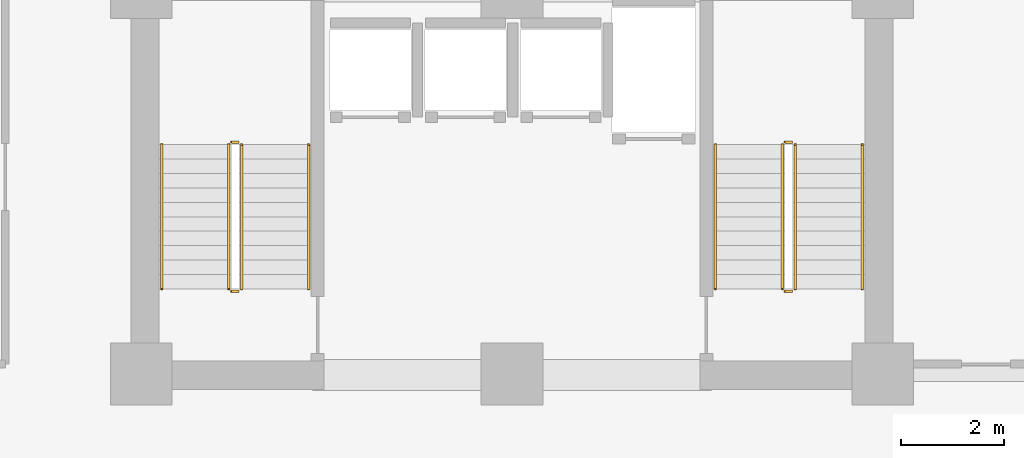
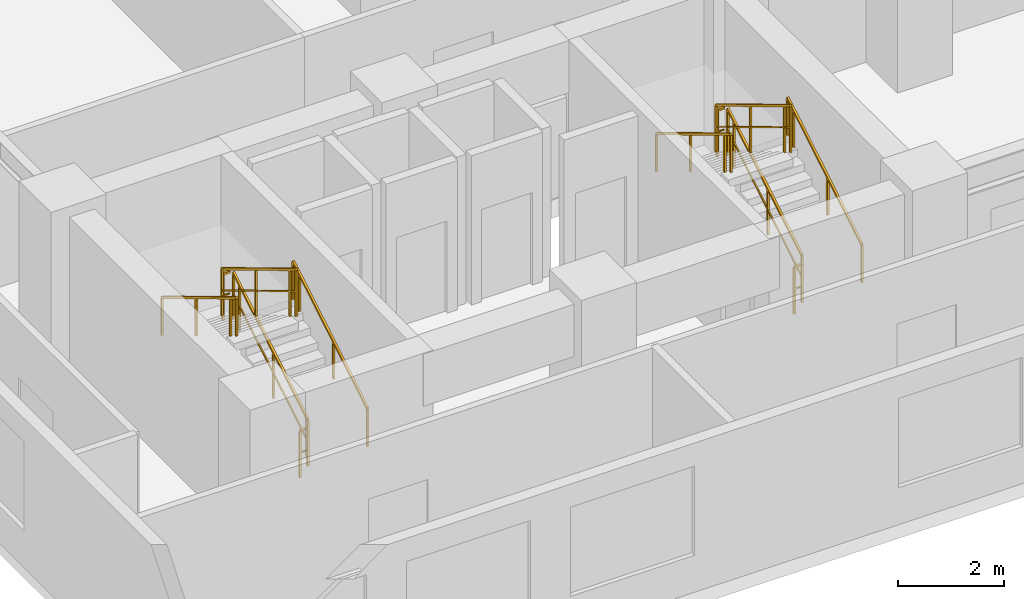
# One storey, part 10 of 11: 12 railings.
"""IFC4 building model written with IfcOpenShell, lengths in metres."""

from ifc_helpers import new_model, si_unit, direction, frame, origin, origin_2d, place, context, subcontext, project, spatial, rectangle, extrude, material, type_object, element, save


model = new_model("IFC4")

# Units and contexts
model_context = context("Model", 3, precision=1e-05, world=origin(), true_north=direction((0.0, 1.0)))
body_context = subcontext(model_context, "Body", "Model", "MODEL_VIEW")
ifc_project = project(units=[si_unit("LENGTHUNIT", "METRE"), si_unit("AREAUNIT", "SQUARE_METRE"), si_unit("VOLUMEUNIT", "CUBIC_METRE"), si_unit("PLANEANGLEUNIT", "RADIAN"), si_unit("MASSUNIT", "GRAM", prefix="KILO")], contexts=[model_context])

# Site, building, storey
site_placement = place(None, origin())
site = spatial("IfcSite", under=ifc_project, at=site_placement, CompositionType="ELEMENT")
building_placement = place(site_placement, origin())
building = spatial("IfcBuilding", under=site, at=building_placement, Name="Kaliganga Portal Commons", CompositionType="ELEMENT")
storey_placement = place(building_placement, frame((0.0, 0.0, 78.60009765625)))
storey = spatial("IfcBuildingStorey", under=building, at=storey_placement, Name="L19", CompositionType="ELEMENT", Elevation=78.60009765625)

# Railings
ifc_material_1 = material(Name="Galvanized Painted Steel Balustrade", Category="steel")
railing_type_1 = type_object("IfcRailingType", Name="RLG-STAIR-GRD", PredefinedType="GUARDRAIL", material=ifc_material_1)
railing_1_placement = place(storey_placement, frame((37.949951171875, 8.699951171875, 0.16796875)))
element("IfcRailing", 1, at=railing_1_placement, inside=storey, type_object=railing_type_1, Name="L19 ST-B1 stair guard 1", PredefinedType="GUARDRAIL", context=body_context, shape_type="SweptSolid", body=[
    extrude(rectangle(XDim=0.048095703125, YDim=0.048095703125, at=origin_2d()), frame((0.0, 0.0, 1.072021484375), z_axis=(0.0, 0.857242210791, 0.514913383045), x_axis=(-1.0, 0.0, 0.0)), (0.0, 0.0, 1.0), 3.266357421875),
    extrude(rectangle(XDim=0.028076171875, YDim=0.028076171875, at=origin_2d()), frame((0.0, 0.0, 0.572021484375), z_axis=(0.0, 0.857242210791, 0.514913383045), x_axis=(-1.0, 0.0, 0.0)), (0.0, 0.0, 1.0), 3.266357421875),
    extrude(rectangle(XDim=0.0419921875, YDim=0.0419921875, at=origin_2d()), origin(), (0.0, 0.0, 1.0), 1.052001953125),
    extrude(rectangle(XDim=0.0419921875, YDim=0.0419921875, at=origin_2d()), frame((0.0, 1.285888671875, 0.7724609375)), (0.0, 0.0, 1.0), 1.052001953125),
    extrude(rectangle(XDim=0.0419921875, YDim=0.0419921875, at=origin_2d()), frame((0.0, 2.57177734375, 1.544677734375)), (0.0, 0.0, 1.0), 1.052001953125),
    extrude(rectangle(XDim=0.0419921875, YDim=0.0419921875, at=origin_2d()), frame((0.0, 2.800048828125, 1.681884765625)), (0.0, 0.0, 1.0), 1.052001953125),
])
railing_2_placement = place(storey_placement, frame((37.89990234375, 11.550048828125, 1.849853515625)))
element("IfcRailing", 2, at=railing_2_placement, inside=storey, type_object=railing_type_1, Name="L19 ST-B1 stair guard 2", PredefinedType="GUARDRAIL", context=body_context, shape_type="SweptSolid", body=[
    extrude(rectangle(XDim=0.048095703125, YDim=0.048095703125, at=origin_2d()), frame((0.0, 0.0, 1.076171875), z_axis=(-1.0, 0.0, 0.0), x_axis=(0.0, -1.0, 0.0)), (0.0, 0.0, 1.0), 0.14990234375),
    extrude(rectangle(XDim=0.028076171875, YDim=0.028076171875, at=origin_2d()), frame((0.0, 0.0, 0.572021484375), z_axis=(-1.0, 0.0, 0.0), x_axis=(0.0, -1.0, 0.0)), (0.0, 0.0, 1.0), 0.14990234375),
    extrude(rectangle(XDim=0.0419921875, YDim=0.0419921875, at=origin_2d()), frame((-0.14990234375, 0.0, 0.0)), (0.0, 0.0, 1.0), 1.052001953125),
])
railing_3_placement = place(storey_placement, frame((37.699951171875, 11.5, 2.01806640625)))
element("IfcRailing", 3, at=railing_3_placement, inside=storey, type_object=railing_type_1, Name="L19 ST-B1 stair guard 3", PredefinedType="GUARDRAIL", context=body_context, shape_type="SweptSolid", body=[
    extrude(rectangle(XDim=0.048095703125, YDim=0.048095703125, at=origin_2d()), frame((0.0, 0.0, 1.072021484375), z_axis=(0.0, -0.857242210791, 0.514913383045), x_axis=(1.0, 0.0, 0.0)), (0.0, 0.0, 1.0), 3.266357421875),
    extrude(rectangle(XDim=0.028076171875, YDim=0.028076171875, at=origin_2d()), frame((0.0, 0.0, 0.572021484375), z_axis=(0.0, -0.857242210791, 0.514913383045), x_axis=(1.0, 0.0, 0.0)), (0.0, 0.0, 1.0), 3.266357421875),
    extrude(rectangle(XDim=0.0419921875, YDim=0.0419921875, at=origin_2d()), origin(), (0.0, 0.0, 1.0), 1.052001953125),
    extrude(rectangle(XDim=0.0419921875, YDim=0.0419921875, at=origin_2d()), frame((0.0, -1.285888671875, 0.7724609375)), (0.0, 0.0, 1.0), 1.052001953125),
    extrude(rectangle(XDim=0.0419921875, YDim=0.0419921875, at=origin_2d()), frame((0.0, -2.57177734375, 1.544677734375)), (0.0, 0.0, 1.0), 1.052001953125),
    extrude(rectangle(XDim=0.0419921875, YDim=0.0419921875, at=origin_2d()), frame((0.0, -2.800048828125, 1.681884765625)), (0.0, 0.0, 1.0), 1.052001953125),
])
railing_4_placement = place(storey_placement, frame((37.89990234375, 8.64990234375, 0.0)))
element("IfcRailing", 4, at=railing_4_placement, inside=storey, type_object=railing_type_1, Name="L19 ST-B1 stair guard 4", PredefinedType="GUARDRAIL", context=body_context, shape_type="SweptSolid", body=[
    extrude(rectangle(XDim=0.048095703125, YDim=0.048095703125, at=origin_2d()), frame((0.0, 0.0, 1.076171875), z_axis=(-1.0, 0.0, 0.0), x_axis=(0.0, -1.0, 0.0)), (0.0, 0.0, 1.0), 0.14990234375),
    extrude(rectangle(XDim=0.028076171875, YDim=0.028076171875, at=origin_2d()), frame((0.0, 0.0, 0.572021484375), z_axis=(-1.0, 0.0, 0.0), x_axis=(0.0, -1.0, 0.0)), (0.0, 0.0, 1.0), 0.14990234375),
    extrude(rectangle(XDim=0.0419921875, YDim=0.0419921875, at=origin_2d()), frame((-0.14990234375, 0.0, 0.0)), (0.0, 0.0, 1.0), 1.052001953125),
])
railing_5_placement = place(storey_placement, frame((48.699951171875, 8.699951171875, 0.16796875)))
element("IfcRailing", 5, at=railing_5_placement, inside=storey, type_object=railing_type_1, Name="L19 ST-B2 stair guard 1", PredefinedType="GUARDRAIL", context=body_context, shape_type="SweptSolid", body=[
    extrude(rectangle(XDim=0.048095703125, YDim=0.048095703125, at=origin_2d()), frame((0.0, 0.0, 1.072021484375), z_axis=(0.0, 0.857242210791, 0.514913383045), x_axis=(-1.0, 0.0, 0.0)), (0.0, 0.0, 1.0), 3.266357421875),
    extrude(rectangle(XDim=0.028076171875, YDim=0.028076171875, at=origin_2d()), frame((0.0, 0.0, 0.572021484375), z_axis=(0.0, 0.857242210791, 0.514913383045), x_axis=(-1.0, 0.0, 0.0)), (0.0, 0.0, 1.0), 3.266357421875),
    extrude(rectangle(XDim=0.0419921875, YDim=0.0419921875, at=origin_2d()), origin(), (0.0, 0.0, 1.0), 1.052001953125),
    extrude(rectangle(XDim=0.0419921875, YDim=0.0419921875, at=origin_2d()), frame((0.0, 1.285888671875, 0.7724609375)), (0.0, 0.0, 1.0), 1.052001953125),
    extrude(rectangle(XDim=0.0419921875, YDim=0.0419921875, at=origin_2d()), frame((0.0, 2.57177734375, 1.544677734375)), (0.0, 0.0, 1.0), 1.052001953125),
    extrude(rectangle(XDim=0.0419921875, YDim=0.0419921875, at=origin_2d()), frame((0.0, 2.800048828125, 1.681884765625)), (0.0, 0.0, 1.0), 1.052001953125),
])
railing_6_placement = place(storey_placement, frame((48.64990234375, 11.550048828125, 1.849853515625)))
element("IfcRailing", 6, at=railing_6_placement, inside=storey, type_object=railing_type_1, Name="L19 ST-B2 stair guard 2", PredefinedType="GUARDRAIL", context=body_context, shape_type="SweptSolid", body=[
    extrude(rectangle(XDim=0.048095703125, YDim=0.048095703125, at=origin_2d()), frame((0.0, 0.0, 1.076171875), z_axis=(-1.0, 0.0, 0.0), x_axis=(0.0, -1.0, 0.0)), (0.0, 0.0, 1.0), 0.14990234375),
    extrude(rectangle(XDim=0.028076171875, YDim=0.028076171875, at=origin_2d()), frame((0.0, 0.0, 0.572021484375), z_axis=(-1.0, 0.0, 0.0), x_axis=(0.0, -1.0, 0.0)), (0.0, 0.0, 1.0), 0.14990234375),
    extrude(rectangle(XDim=0.0419921875, YDim=0.0419921875, at=origin_2d()), frame((-0.14990234375, 0.0, 0.0)), (0.0, 0.0, 1.0), 1.052001953125),
])
railing_7_placement = place(storey_placement, frame((48.449951171875, 11.5, 2.01806640625)))
element("IfcRailing", 7, at=railing_7_placement, inside=storey, type_object=railing_type_1, Name="L19 ST-B2 stair guard 3", PredefinedType="GUARDRAIL", context=body_context, shape_type="SweptSolid", body=[
    extrude(rectangle(XDim=0.048095703125, YDim=0.048095703125, at=origin_2d()), frame((0.0, 0.0, 1.072021484375), z_axis=(0.0, -0.857242210791, 0.514913383045), x_axis=(1.0, 0.0, 0.0)), (0.0, 0.0, 1.0), 3.266357421875),
    extrude(rectangle(XDim=0.028076171875, YDim=0.028076171875, at=origin_2d()), frame((0.0, 0.0, 0.572021484375), z_axis=(0.0, -0.857242210791, 0.514913383045), x_axis=(1.0, 0.0, 0.0)), (0.0, 0.0, 1.0), 3.266357421875),
    extrude(rectangle(XDim=0.0419921875, YDim=0.0419921875, at=origin_2d()), origin(), (0.0, 0.0, 1.0), 1.052001953125),
    extrude(rectangle(XDim=0.0419921875, YDim=0.0419921875, at=origin_2d()), frame((0.0, -1.285888671875, 0.7724609375)), (0.0, 0.0, 1.0), 1.052001953125),
    extrude(rectangle(XDim=0.0419921875, YDim=0.0419921875, at=origin_2d()), frame((0.0, -2.57177734375, 1.544677734375)), (0.0, 0.0, 1.0), 1.052001953125),
    extrude(rectangle(XDim=0.0419921875, YDim=0.0419921875, at=origin_2d()), frame((0.0, -2.800048828125, 1.681884765625)), (0.0, 0.0, 1.0), 1.052001953125),
])
railing_8_placement = place(storey_placement, frame((48.64990234375, 8.64990234375, 0.0)))
element("IfcRailing", 8, at=railing_8_placement, inside=storey, type_object=railing_type_1, Name="L19 ST-B2 stair guard 4", PredefinedType="GUARDRAIL", context=body_context, shape_type="SweptSolid", body=[
    extrude(rectangle(XDim=0.048095703125, YDim=0.048095703125, at=origin_2d()), frame((0.0, 0.0, 1.076171875), z_axis=(-1.0, 0.0, 0.0), x_axis=(0.0, -1.0, 0.0)), (0.0, 0.0, 1.0), 0.14990234375),
    extrude(rectangle(XDim=0.028076171875, YDim=0.028076171875, at=origin_2d()), frame((0.0, 0.0, 0.572021484375), z_axis=(-1.0, 0.0, 0.0), x_axis=(0.0, -1.0, 0.0)), (0.0, 0.0, 1.0), 0.14990234375),
    extrude(rectangle(XDim=0.0419921875, YDim=0.0419921875, at=origin_2d()), frame((-0.14990234375, 0.0, 0.0)), (0.0, 0.0, 1.0), 1.052001953125),
])
ifc_material_2 = material(Name="Brushed Stainless Steel 316", Category="steel")
railing_type_2 = type_object("IfcRailingType", Name="RLG-STAIR-HR", PredefinedType="HANDRAIL", material=ifc_material_2)
railing_9_placement = place(storey_placement, frame((39.25, 8.699951171875, 0.16796875)))
element("IfcRailing", 9, at=railing_9_placement, inside=storey, type_object=railing_type_2, Name="L19 ST-B1 stair handrail 1", PredefinedType="HANDRAIL", context=body_context, shape_type="SweptSolid", body=[
    extrude(rectangle(XDim=0.048095703125, YDim=0.048095703125, at=origin_2d()), frame((0.0, 0.0, 0.871826171875), z_axis=(0.0, 0.857242210791, 0.514913383045), x_axis=(-1.0, 0.0, 0.0)), (0.0, 0.0, 1.0), 3.266357421875),
    extrude(rectangle(XDim=0.0419921875, YDim=0.0419921875, at=origin_2d()), origin(), (0.0, 0.0, 1.0), 0.851806640625),
    extrude(rectangle(XDim=0.0419921875, YDim=0.0419921875, at=origin_2d()), frame((0.0, 1.285888671875, 0.7724609375)), (0.0, 0.0, 1.0), 0.851806640625),
    extrude(rectangle(XDim=0.0419921875, YDim=0.0419921875, at=origin_2d()), frame((0.0, 2.57177734375, 1.544677734375)), (0.0, 0.0, 1.0), 0.851806640625),
    extrude(rectangle(XDim=0.0419921875, YDim=0.0419921875, at=origin_2d()), frame((0.0, 2.800048828125, 1.681884765625)), (0.0, 0.0, 1.0), 0.851806640625),
])
railing_10_placement = place(storey_placement, frame((36.39990234375, 11.5, 2.01806640625)))
element("IfcRailing", 10, at=railing_10_placement, inside=storey, type_object=railing_type_2, Name="L19 ST-B1 stair handrail 2", PredefinedType="HANDRAIL", context=body_context, shape_type="SweptSolid", body=[
    extrude(rectangle(XDim=0.048095703125, YDim=0.048095703125, at=origin_2d()), frame((0.0, 0.0, 0.871826171875), z_axis=(0.0, -0.857242210791, 0.514913383045), x_axis=(1.0, 0.0, 0.0)), (0.0, 0.0, 1.0), 3.266357421875),
    extrude(rectangle(XDim=0.0419921875, YDim=0.0419921875, at=origin_2d()), origin(), (0.0, 0.0, 1.0), 0.851806640625),
    extrude(rectangle(XDim=0.0419921875, YDim=0.0419921875, at=origin_2d()), frame((0.0, -1.285888671875, 0.7724609375)), (0.0, 0.0, 1.0), 0.851806640625),
    extrude(rectangle(XDim=0.0419921875, YDim=0.0419921875, at=origin_2d()), frame((0.0, -2.57177734375, 1.544677734375)), (0.0, 0.0, 1.0), 0.851806640625),
    extrude(rectangle(XDim=0.0419921875, YDim=0.0419921875, at=origin_2d()), frame((0.0, -2.800048828125, 1.681884765625)), (0.0, 0.0, 1.0), 0.851806640625),
])
railing_11_placement = place(storey_placement, frame((50.0, 8.699951171875, 0.16796875)))
element("IfcRailing", 11, at=railing_11_placement, inside=storey, type_object=railing_type_2, Name="L19 ST-B2 stair handrail 1", PredefinedType="HANDRAIL", context=body_context, shape_type="SweptSolid", body=[
    extrude(rectangle(XDim=0.048095703125, YDim=0.048095703125, at=origin_2d()), frame((0.0, 0.0, 0.871826171875), z_axis=(0.0, 0.857242210791, 0.514913383045), x_axis=(-1.0, 0.0, 0.0)), (0.0, 0.0, 1.0), 3.266357421875),
    extrude(rectangle(XDim=0.0419921875, YDim=0.0419921875, at=origin_2d()), origin(), (0.0, 0.0, 1.0), 0.851806640625),
    extrude(rectangle(XDim=0.0419921875, YDim=0.0419921875, at=origin_2d()), frame((0.0, 1.285888671875, 0.7724609375)), (0.0, 0.0, 1.0), 0.851806640625),
    extrude(rectangle(XDim=0.0419921875, YDim=0.0419921875, at=origin_2d()), frame((0.0, 2.57177734375, 1.544677734375)), (0.0, 0.0, 1.0), 0.851806640625),
    extrude(rectangle(XDim=0.0419921875, YDim=0.0419921875, at=origin_2d()), frame((0.0, 2.800048828125, 1.681884765625)), (0.0, 0.0, 1.0), 0.851806640625),
])
railing_12_placement = place(storey_placement, frame((47.14990234375, 11.5, 2.01806640625)))
element("IfcRailing", 12, at=railing_12_placement, inside=storey, type_object=railing_type_2, Name="L19 ST-B2 stair handrail 2", PredefinedType="HANDRAIL", context=body_context, shape_type="SweptSolid", body=[
    extrude(rectangle(XDim=0.048095703125, YDim=0.048095703125, at=origin_2d()), frame((0.0, 0.0, 0.871826171875), z_axis=(0.0, -0.857242210791, 0.514913383045), x_axis=(1.0, 0.0, 0.0)), (0.0, 0.0, 1.0), 3.266357421875),
    extrude(rectangle(XDim=0.0419921875, YDim=0.0419921875, at=origin_2d()), origin(), (0.0, 0.0, 1.0), 0.851806640625),
    extrude(rectangle(XDim=0.0419921875, YDim=0.0419921875, at=origin_2d()), frame((0.0, -1.285888671875, 0.7724609375)), (0.0, 0.0, 1.0), 0.851806640625),
    extrude(rectangle(XDim=0.0419921875, YDim=0.0419921875, at=origin_2d()), frame((0.0, -2.57177734375, 1.544677734375)), (0.0, 0.0, 1.0), 0.851806640625),
    extrude(rectangle(XDim=0.0419921875, YDim=0.0419921875, at=origin_2d()), frame((0.0, -2.800048828125, 1.681884765625)), (0.0, 0.0, 1.0), 0.851806640625),
])

save(model, "model.ifc")
